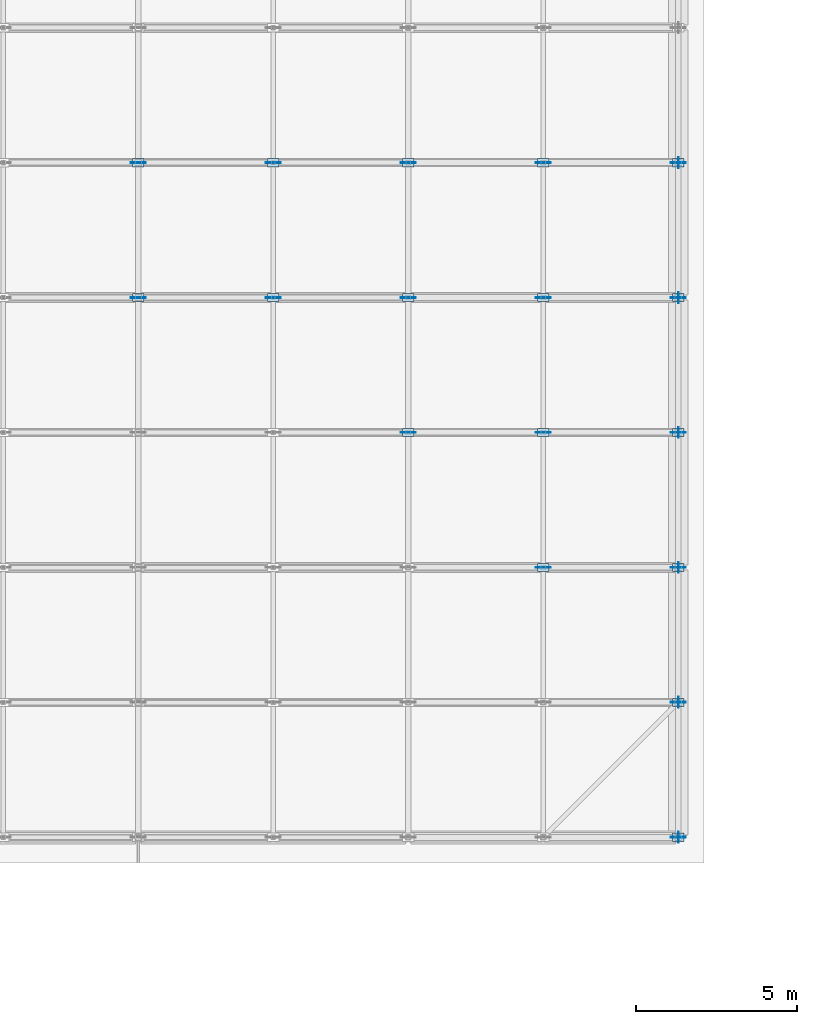
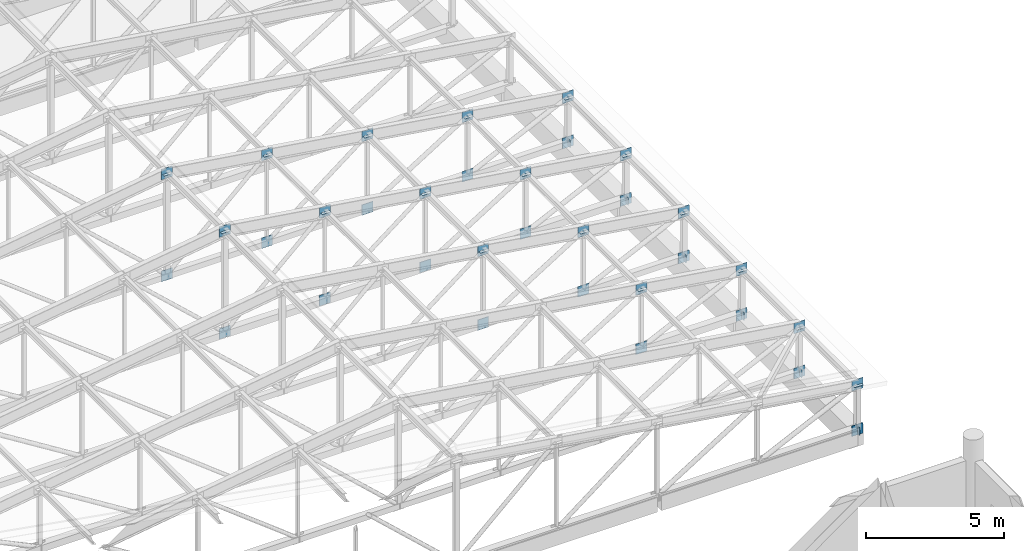
# One storey, part 50 of 122: 57 plates.
"""IFC4 building model written with IfcOpenShell, lengths in metres."""

from ifc_helpers import new_model, si_unit, direction, frame, origin, origin_2d, place, context, subcontext, project, spatial, rectangle, extrude, material, layer, layer_set, type_object, element, save


model = new_model("IFC4")

# Units and contexts
model_context = context("Model", 3, precision=1e-05, world=origin(), true_north=direction((0.0, 1.0)))
body_context = subcontext(model_context, "Body", "Model", "MODEL_VIEW")
ifc_project = project(units=[si_unit("LENGTHUNIT", "METRE"), si_unit("AREAUNIT", "SQUARE_METRE"), si_unit("VOLUMEUNIT", "CUBIC_METRE"), si_unit("PLANEANGLEUNIT", "RADIAN"), si_unit("MASSUNIT", "GRAM", prefix="KILO")], contexts=[model_context])

# Site, building, storey
site_placement = place(None, origin())
site = spatial("IfcSite", under=ifc_project, at=site_placement, CompositionType="ELEMENT")
building_placement = place(site_placement, origin())
building = spatial("IfcBuilding", under=site, at=building_placement, Name="Telukmera Botanical Conservatory", CompositionType="ELEMENT")
storey_placement = place(building_placement, frame((0.0, 0.0, 10.199951171875)))
storey = spatial("IfcBuildingStorey", under=building, at=storey_placement, Name="L02", CompositionType="ELEMENT", Elevation=10.199951171875)

# Plates
ifc_material = material(Name="Steel S355", Category="steel")
ifc_layer_1 = layer(ifc_material, 0.01611328125)
ifc_layer_set_1 = layer_set([ifc_layer_1], Name="Steel S355")
plate_type_1 = type_object("IfcPlateType", Name="Plate_CP1", PredefinedType="USERDEFINED", material=ifc_layer_set_1)
plate_1_placement = place(storey_placement, frame((42.0, 83.199951171875, 1.89404296875), z_axis=(0.0, 0.0, 1.0), x_axis=(1.0, 0.0, 0.0)))
element("IfcPlate", 1, at=plate_1_placement, inside=storey, type_object=plate_type_1, Name="CP1 Truss Chord Node Cap Plate T1-T8", ObjectType="CAP_PLATE", PredefinedType="USERDEFINED", context=body_context, shape_type="SweptSolid", body=[
    extrude(rectangle(XDim=0.360107421875, YDim=0.260009765625, at=origin_2d()), origin(), (0.0, 0.0, 1.0), 0.01611328125),
])
plate_2_placement = place(storey_placement, frame((42.008056640625, 83.199951171875, -0.25), z_axis=(0.0, 0.0, 1.0), x_axis=(1.0, 0.0, 0.0)))
element("IfcPlate", 2, at=plate_2_placement, inside=storey, type_object=plate_type_1, Name="CP1 Truss Bottom Chord End Cap T1-E", ObjectType="CAP_PLATE", PredefinedType="USERDEFINED", context=body_context, shape_type="SweptSolid", body=[
    extrude(rectangle(XDim=0.01611328125, YDim=0.340087890625, at=origin_2d()), origin(), (0.0, 0.0, 1.0), 0.340087890625),
])
plate_3_placement = place(storey_placement, frame((42.0, 87.39990234375, 1.89404296875), z_axis=(0.0, 0.0, 1.0), x_axis=(1.0, 0.0, 0.0)))
element("IfcPlate", 3, at=plate_3_placement, inside=storey, type_object=plate_type_1, Name="CP1 Truss Chord Node Cap Plate T2-T8", ObjectType="CAP_PLATE", PredefinedType="USERDEFINED", context=body_context, shape_type="SweptSolid", body=[
    extrude(rectangle(XDim=0.360107421875, YDim=0.260009765625, at=origin_2d()), origin(), (0.0, 0.0, 1.0), 0.01611328125),
])
plate_4_placement = place(storey_placement, frame((42.008056640625, 87.39990234375, -0.25), z_axis=(0.0, 0.0, 1.0), x_axis=(1.0, 0.0, 0.0)))
element("IfcPlate", 4, at=plate_4_placement, inside=storey, type_object=plate_type_1, Name="CP1 Truss Bottom Chord End Cap T2-E", ObjectType="CAP_PLATE", PredefinedType="USERDEFINED", context=body_context, shape_type="SweptSolid", body=[
    extrude(rectangle(XDim=0.01611328125, YDim=0.340087890625, at=origin_2d()), origin(), (0.0, 0.0, 1.0), 0.340087890625),
])
for number, where, z_axis, x_axis, name in (
    (5, (37.800048828125, 91.60009765625, 2.521728515625), (0.0, 0.0, 1.0), (1.0, 0.0, 0.0), "CP1 Truss Chord Node Cap Plate T3-T7"),
    (6, (42.0, 91.60009765625, 1.89404296875), (0.0, 0.0, 1.0), (1.0, 0.0, 0.0), "CP1 Truss Chord Node Cap Plate T3-T8"),
):
    element("IfcPlate", number, at=place(storey_placement, frame(where, z_axis=z_axis, x_axis=x_axis)), inside=storey, type_object=plate_type_1, Name=name, ObjectType="CAP_PLATE", PredefinedType="USERDEFINED", context=body_context, shape_type="SweptSolid", body=[
        extrude(rectangle(XDim=0.360107421875, YDim=0.260009765625, at=origin_2d()), origin(), (0.0, 0.0, 1.0), 0.01611328125),
    ])
plate_5_placement = place(storey_placement, frame((42.008056640625, 91.60009765625, -0.25), z_axis=(0.0, 0.0, 1.0), x_axis=(1.0, 0.0, 0.0)))
element("IfcPlate", 7, at=plate_5_placement, inside=storey, type_object=plate_type_1, Name="CP1 Truss Bottom Chord End Cap T3-E", ObjectType="CAP_PLATE", PredefinedType="USERDEFINED", context=body_context, shape_type="SweptSolid", body=[
    extrude(rectangle(XDim=0.01611328125, YDim=0.340087890625, at=origin_2d()), origin(), (0.0, 0.0, 1.0), 0.340087890625),
])
for number, where, z_axis, x_axis, name in (
    (8, (33.60009765625, 95.800048828125, 3.1494140625), (0.0, 0.0, 1.0), (1.0, 0.0, 0.0), "CP1 Truss Chord Node Cap Plate T4-T6"),
    (9, (37.800048828125, 95.800048828125, 2.521728515625), (0.0, 0.0, 1.0), (1.0, 0.0, 0.0), "CP1 Truss Chord Node Cap Plate T4-T7"),
    (10, (42.0, 95.800048828125, 1.89404296875), (0.0, 0.0, 1.0), (1.0, 0.0, 0.0), "CP1 Truss Chord Node Cap Plate T4-T8"),
):
    element("IfcPlate", number, at=place(storey_placement, frame(where, z_axis=z_axis, x_axis=x_axis)), inside=storey, type_object=plate_type_1, Name=name, ObjectType="CAP_PLATE", PredefinedType="USERDEFINED", context=body_context, shape_type="SweptSolid", body=[
        extrude(rectangle(XDim=0.360107421875, YDim=0.260009765625, at=origin_2d()), origin(), (0.0, 0.0, 1.0), 0.01611328125),
    ])
plate_6_placement = place(storey_placement, frame((42.008056640625, 95.800048828125, -0.25), z_axis=(0.0, 0.0, 1.0), x_axis=(1.0, 0.0, 0.0)))
element("IfcPlate", 11, at=plate_6_placement, inside=storey, type_object=plate_type_1, Name="CP1 Truss Bottom Chord End Cap T4-E", ObjectType="CAP_PLATE", PredefinedType="USERDEFINED", context=body_context, shape_type="SweptSolid", body=[
    extrude(rectangle(XDim=0.01611328125, YDim=0.340087890625, at=origin_2d()), origin(), (0.0, 0.0, 1.0), 0.340087890625),
])
for number, where, z_axis, x_axis, name in (
    (12, (25.199951171875, 100.0, 4.40478515625), (0.0, 0.0, 1.0), (1.0, 0.0, 0.0), "CP1 Truss Chord Node Cap Plate T5-T4"),
    (13, (29.39990234375, 100.0, 3.777099609375), (0.0, 0.0, 1.0), (1.0, 0.0, 0.0), "CP1 Truss Chord Node Cap Plate T5-T5"),
    (14, (33.60009765625, 100.0, 3.1494140625), (0.0, 0.0, 1.0), (1.0, 0.0, 0.0), "CP1 Truss Chord Node Cap Plate T5-T6"),
    (15, (37.800048828125, 100.0, 2.521728515625), (0.0, 0.0, 1.0), (1.0, 0.0, 0.0), "CP1 Truss Chord Node Cap Plate T5-T7"),
    (16, (42.0, 100.0, 1.89404296875), (0.0, 0.0, 1.0), (1.0, 0.0, 0.0), "CP1 Truss Chord Node Cap Plate T5-T8"),
):
    element("IfcPlate", number, at=place(storey_placement, frame(where, z_axis=z_axis, x_axis=x_axis)), inside=storey, type_object=plate_type_1, Name=name, ObjectType="CAP_PLATE", PredefinedType="USERDEFINED", context=body_context, shape_type="SweptSolid", body=[
        extrude(rectangle(XDim=0.360107421875, YDim=0.260009765625, at=origin_2d()), origin(), (0.0, 0.0, 1.0), 0.01611328125),
    ])
plate_7_placement = place(storey_placement, frame((42.008056640625, 100.0, -0.25), z_axis=(0.0, 0.0, 1.0), x_axis=(1.0, 0.0, 0.0)))
element("IfcPlate", 17, at=plate_7_placement, inside=storey, type_object=plate_type_1, Name="CP1 Truss Bottom Chord End Cap T5-E", ObjectType="CAP_PLATE", PredefinedType="USERDEFINED", context=body_context, shape_type="SweptSolid", body=[
    extrude(rectangle(XDim=0.01611328125, YDim=0.340087890625, at=origin_2d()), origin(), (0.0, 0.0, 1.0), 0.340087890625),
])
for number, where, z_axis, x_axis, name in (
    (18, (25.199951171875, 104.199951171875, 4.40478515625), (0.0, 0.0, 1.0), (1.0, 0.0, 0.0), "CP1 Truss Chord Node Cap Plate T6-T4"),
    (19, (29.39990234375, 104.199951171875, 3.777099609375), (0.0, 0.0, 1.0), (1.0, 0.0, 0.0), "CP1 Truss Chord Node Cap Plate T6-T5"),
    (20, (33.60009765625, 104.199951171875, 3.1494140625), (0.0, 0.0, 1.0), (1.0, 0.0, 0.0), "CP1 Truss Chord Node Cap Plate T6-T6"),
    (21, (37.800048828125, 104.199951171875, 2.521728515625), (0.0, 0.0, 1.0), (1.0, 0.0, 0.0), "CP1 Truss Chord Node Cap Plate T6-T7"),
    (22, (42.0, 104.199951171875, 1.89404296875), (0.0, 0.0, 1.0), (1.0, 0.0, 0.0), "CP1 Truss Chord Node Cap Plate T6-T8"),
):
    element("IfcPlate", number, at=place(storey_placement, frame(where, z_axis=z_axis, x_axis=x_axis)), inside=storey, type_object=plate_type_1, Name=name, ObjectType="CAP_PLATE", PredefinedType="USERDEFINED", context=body_context, shape_type="SweptSolid", body=[
        extrude(rectangle(XDim=0.360107421875, YDim=0.260009765625, at=origin_2d()), origin(), (0.0, 0.0, 1.0), 0.01611328125),
    ])
plate_8_placement = place(storey_placement, frame((42.008056640625, 104.199951171875, -0.25), z_axis=(0.0, 0.0, 1.0), x_axis=(1.0, 0.0, 0.0)))
element("IfcPlate", 23, at=plate_8_placement, inside=storey, type_object=plate_type_1, Name="CP1 Truss Bottom Chord End Cap T6-E", ObjectType="CAP_PLATE", PredefinedType="USERDEFINED", context=body_context, shape_type="SweptSolid", body=[
    extrude(rectangle(XDim=0.01611328125, YDim=0.340087890625, at=origin_2d()), origin(), (0.0, 0.0, 1.0), 0.340087890625),
])
ifc_layer_2 = layer(ifc_material, 0.028076171875)
ifc_layer_set_2 = layer_set([ifc_layer_2], Name="Steel S355")
plate_type_2 = type_object("IfcPlateType", Name="Plate_TP1", PredefinedType="USERDEFINED", material=ifc_layer_set_2)
for number, where, z_axis, x_axis, name in (
    (24, (42.0, 83.199951171875, -0.309814453125), (0.0, 0.0, 1.0), (1.0, 0.0, 0.0), "TP1 Auditorium Truss Welded Node T1-B8"),
    (25, (42.0, 83.199951171875, 1.690185546875), (0.0, 0.0, 1.0), (1.0, 0.0, 0.0), "TP1 Auditorium Truss Welded Node T1-T8"),
    (26, (42.0, 87.39990234375, -0.309814453125), (0.0, 0.0, 1.0), (1.0, 0.0, 0.0), "TP1 Auditorium Truss Welded Node T2-B8"),
    (27, (42.0, 87.39990234375, 1.690185546875), (0.0, 0.0, 1.0), (1.0, 0.0, 0.0), "TP1 Auditorium Truss Welded Node T2-T8"),
    (28, (37.800048828125, 91.60009765625, -0.309814453125), (0.0, 0.0, 1.0), (1.0, 0.0, 0.0), "TP1 Auditorium Truss Welded Node T3-B7"),
    (29, (37.800048828125, 91.60009765625, 2.31787109375), (0.0, 0.0, 1.0), (1.0, 0.0, 0.0), "TP1 Auditorium Truss Welded Node T3-T7"),
    (30, (42.0, 91.60009765625, -0.309814453125), (0.0, 0.0, 1.0), (1.0, 0.0, 0.0), "TP1 Auditorium Truss Welded Node T3-B8"),
    (31, (42.0, 91.60009765625, 1.690185546875), (0.0, 0.0, 1.0), (1.0, 0.0, 0.0), "TP1 Auditorium Truss Welded Node T3-T8"),
    (32, (33.60009765625, 95.800048828125, -0.309814453125), (0.0, 0.0, 1.0), (1.0, 0.0, 0.0), "TP1 Auditorium Truss Welded Node T4-B6"),
    (33, (33.60009765625, 95.800048828125, 2.945556640625), (0.0, 0.0, 1.0), (1.0, 0.0, 0.0), "TP1 Auditorium Truss Welded Node T4-T6"),
    (34, (37.800048828125, 95.800048828125, -0.309814453125), (0.0, 0.0, 1.0), (1.0, 0.0, 0.0), "TP1 Auditorium Truss Welded Node T4-B7"),
    (35, (37.800048828125, 95.800048828125, 2.31787109375), (0.0, 0.0, 1.0), (1.0, 0.0, 0.0), "TP1 Auditorium Truss Welded Node T4-T7"),
    (36, (42.0, 95.800048828125, -0.309814453125), (0.0, 0.0, 1.0), (1.0, 0.0, 0.0), "TP1 Auditorium Truss Welded Node T4-B8"),
    (37, (42.0, 95.800048828125, 1.690185546875), (0.0, 0.0, 1.0), (1.0, 0.0, 0.0), "TP1 Auditorium Truss Welded Node T4-T8"),
    (38, (25.199951171875, 100.0, -0.309814453125), (0.0, 0.0, 1.0), (1.0, 0.0, 0.0), "TP1 Auditorium Truss Welded Node T5-B4"),
    (39, (25.199951171875, 100.0, 4.200927734375), (0.0, 0.0, 1.0), (1.0, 0.0, 0.0), "TP1 Auditorium Truss Welded Node T5-T4"),
    (40, (29.39990234375, 100.0, -0.309814453125), (0.0, 0.0, 1.0), (1.0, 0.0, 0.0), "TP1 Auditorium Truss Welded Node T5-B5"),
    (41, (29.39990234375, 100.0, 3.5732421875), (0.0, 0.0, 1.0), (1.0, 0.0, 0.0), "TP1 Auditorium Truss Welded Node T5-T5"),
    (42, (33.60009765625, 100.0, -0.309814453125), (0.0, 0.0, 1.0), (1.0, 0.0, 0.0), "TP1 Auditorium Truss Welded Node T5-B6"),
    (43, (33.60009765625, 100.0, 2.945556640625), (0.0, 0.0, 1.0), (1.0, 0.0, 0.0), "TP1 Auditorium Truss Welded Node T5-T6"),
    (44, (37.800048828125, 100.0, -0.309814453125), (0.0, 0.0, 1.0), (1.0, 0.0, 0.0), "TP1 Auditorium Truss Welded Node T5-B7"),
    (45, (37.800048828125, 100.0, 2.31787109375), (0.0, 0.0, 1.0), (1.0, 0.0, 0.0), "TP1 Auditorium Truss Welded Node T5-T7"),
    (46, (42.0, 100.0, -0.309814453125), (0.0, 0.0, 1.0), (1.0, 0.0, 0.0), "TP1 Auditorium Truss Welded Node T5-B8"),
    (47, (42.0, 100.0, 1.690185546875), (0.0, 0.0, 1.0), (1.0, 0.0, 0.0), "TP1 Auditorium Truss Welded Node T5-T8"),
    (48, (25.199951171875, 104.199951171875, -0.309814453125), (0.0, 0.0, 1.0), (1.0, 0.0, 0.0), "TP1 Auditorium Truss Welded Node T6-B4"),
    (49, (25.199951171875, 104.199951171875, 4.200927734375), (0.0, 0.0, 1.0), (1.0, 0.0, 0.0), "TP1 Auditorium Truss Welded Node T6-T4"),
    (50, (29.39990234375, 104.199951171875, -0.309814453125), (0.0, 0.0, 1.0), (1.0, 0.0, 0.0), "TP1 Auditorium Truss Welded Node T6-B5"),
    (51, (29.39990234375, 104.199951171875, 3.5732421875), (0.0, 0.0, 1.0), (1.0, 0.0, 0.0), "TP1 Auditorium Truss Welded Node T6-T5"),
    (52, (33.60009765625, 104.199951171875, -0.309814453125), (0.0, 0.0, 1.0), (1.0, 0.0, 0.0), "TP1 Auditorium Truss Welded Node T6-B6"),
    (53, (33.60009765625, 104.199951171875, 2.945556640625), (0.0, 0.0, 1.0), (1.0, 0.0, 0.0), "TP1 Auditorium Truss Welded Node T6-T6"),
    (54, (37.800048828125, 104.199951171875, -0.309814453125), (0.0, 0.0, 1.0), (1.0, 0.0, 0.0), "TP1 Auditorium Truss Welded Node T6-B7"),
    (55, (37.800048828125, 104.199951171875, 2.31787109375), (0.0, 0.0, 1.0), (1.0, 0.0, 0.0), "TP1 Auditorium Truss Welded Node T6-T7"),
    (56, (42.0, 104.199951171875, -0.309814453125), (0.0, 0.0, 1.0), (1.0, 0.0, 0.0), "TP1 Auditorium Truss Welded Node T6-B8"),
    (57, (42.0, 104.199951171875, 1.690185546875), (0.0, 0.0, 1.0), (1.0, 0.0, 0.0), "TP1 Auditorium Truss Welded Node T6-T8"),
):
    element("IfcPlate", number, at=place(storey_placement, frame(where, z_axis=z_axis, x_axis=x_axis)), inside=storey, type_object=plate_type_2, Name=name, ObjectType="GUSSET_PLATE", PredefinedType="USERDEFINED", context=body_context, shape_type="SweptSolid", body=[
        extrude(rectangle(XDim=0.4599609375, YDim=0.028076171875, at=origin_2d()), origin(), (0.0, 0.0, 1.0), 0.4599609375),
    ])

save(model, "model.ifc")
